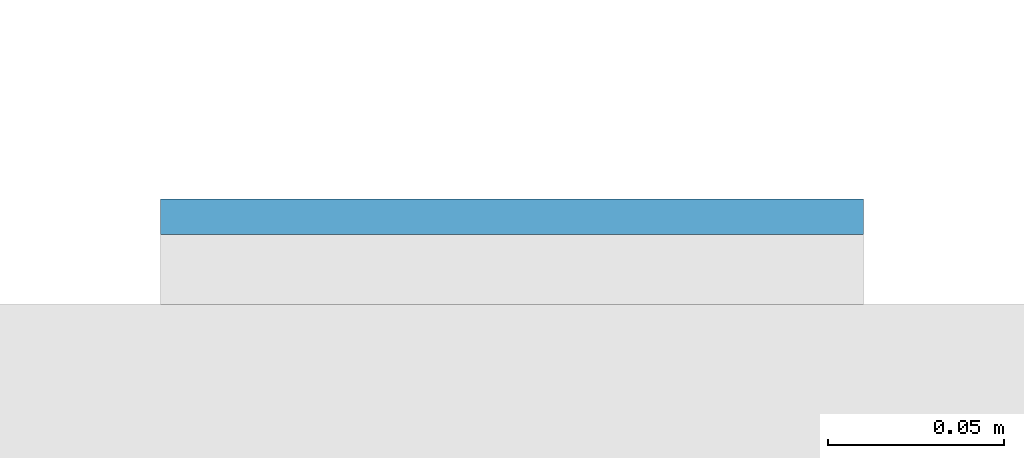
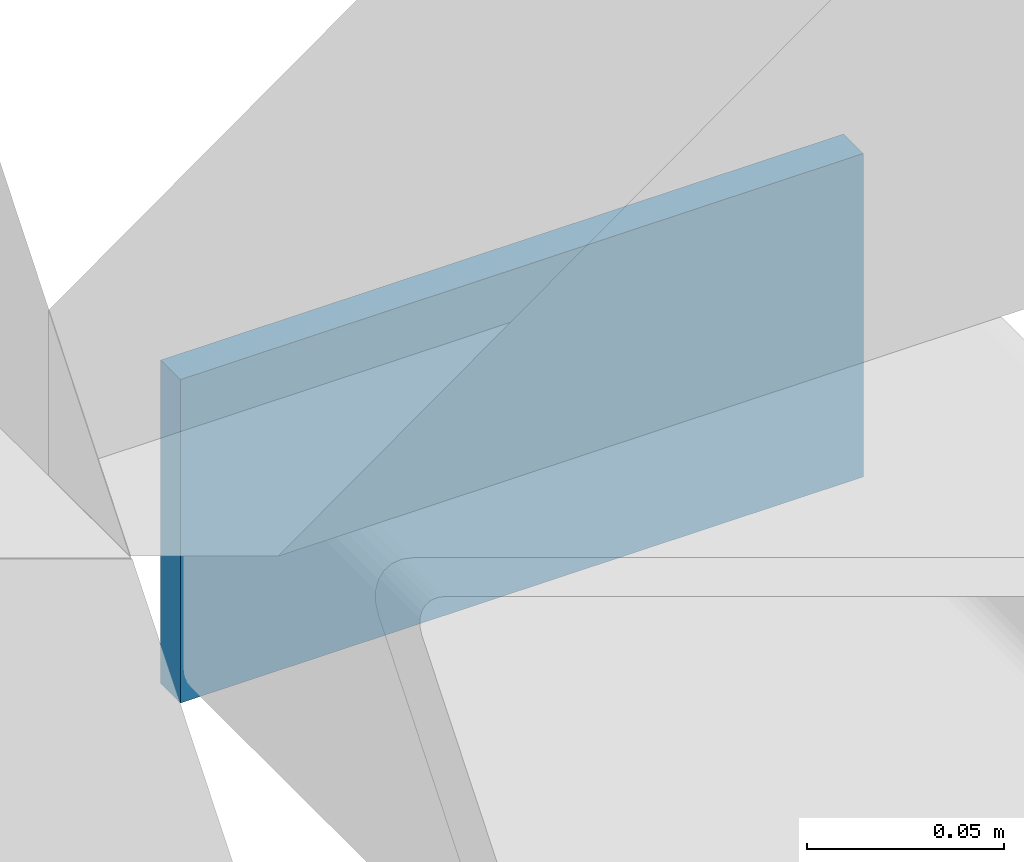
# One storey, part 6 of 12: 1 plate.
"""IFC4 building model written with IfcOpenShell, lengths in metres."""

from ifc_helpers import new_model, si_unit, direction, frame, origin, origin_2d, place, context, subcontext, project, spatial, rectangle, extrude, material, layer, layer_set, type_object, element, save


model = new_model("IFC4")

# Units and contexts
model_context = context("Model", 3, precision=1e-05, world=origin(), true_north=direction((0.0, 1.0)))
body_context = subcontext(model_context, "Body", "Model", "MODEL_VIEW")
ifc_project = project(units=[si_unit("LENGTHUNIT", "METRE"), si_unit("AREAUNIT", "SQUARE_METRE"), si_unit("VOLUMEUNIT", "CUBIC_METRE"), si_unit("PLANEANGLEUNIT", "RADIAN"), si_unit("MASSUNIT", "GRAM", prefix="KILO")], contexts=[model_context])

# Site, building, storey
site_placement = place(None, origin())
site = spatial("IfcSite", under=ifc_project, at=site_placement, CompositionType="ELEMENT")
building_placement = place(site_placement, origin())
building = spatial("IfcBuilding", under=site, at=building_placement, Name="Cleftline Residences", CompositionType="ELEMENT")
storey_placement = place(building_placement, frame((0.0, 0.0, 234.0)))
storey = spatial("IfcBuildingStorey", under=building, at=storey_placement, Name="L61", CompositionType="ELEMENT", Elevation=234.0)

# Plate
ifc_material = material(Name="Steel S355, hot-dip galvanised", Category="steel")
ifc_layer = layer(ifc_material, 0.010009765625)
ifc_layer_set = layer_set([ifc_layer], Name="BAGUETTE CARRIER END PLATE 200X100X10")
plate_type = type_object("IfcPlateType", Name="BAGUETTE CARRIER END PLATE 200X100X10", PredefinedType="USERDEFINED", material=ifc_layer_set)
plate_placement = place(storey_placement, frame((66.85009765625, 44.304931640625, -0.10009765625), z_axis=(0.0, 0.0, 1.0), x_axis=(1.0, 0.0, 0.0)))
element("IfcPlate", 1, at=plate_placement, inside=storey, type_object=plate_type, Name="Baguette carrier end plate", ObjectType="BAGUETTE CARRIER END PLATE", PredefinedType="USERDEFINED", context=body_context, shape_type="SweptSolid", body=[
    extrude(rectangle(XDim=0.199951171875, YDim=0.010009765625, at=origin_2d()), origin(), (0.0, 0.0, 1.0), 0.10009765625),
])

save(model, "model.ifc")
